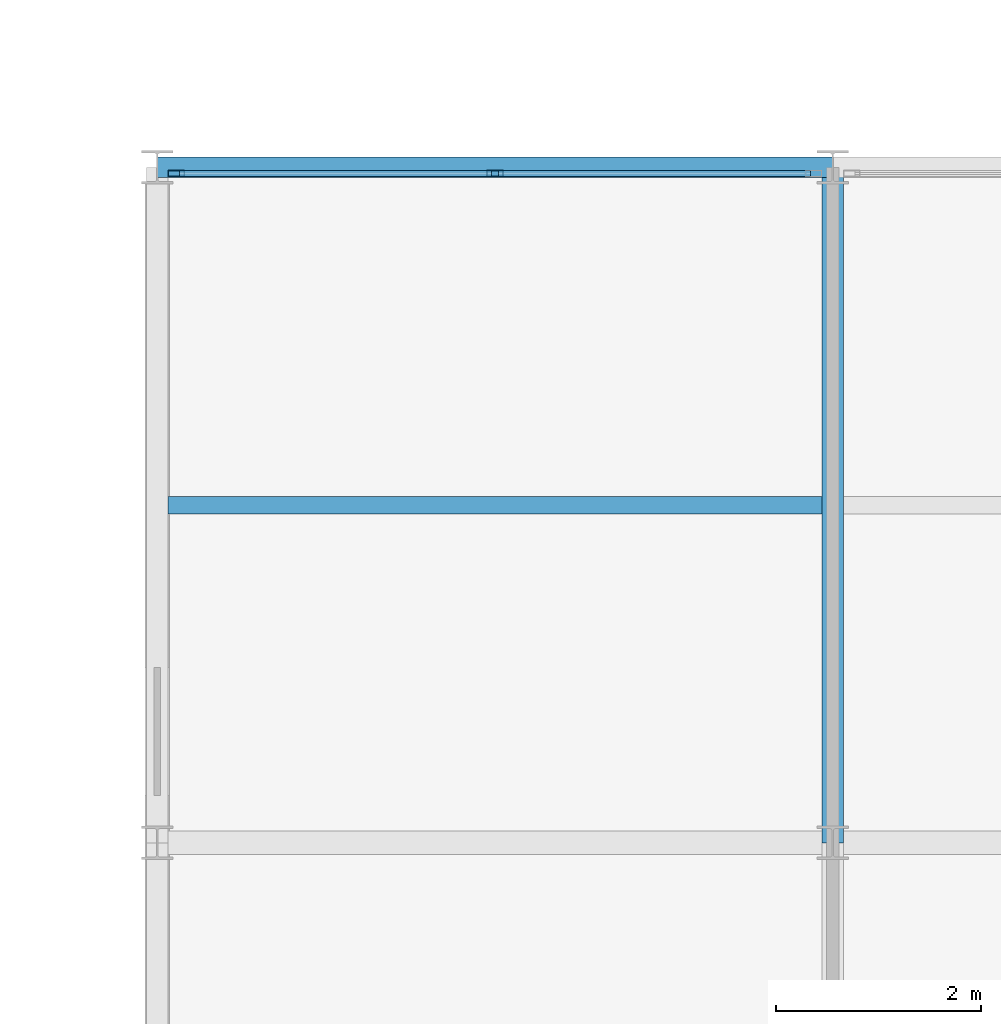
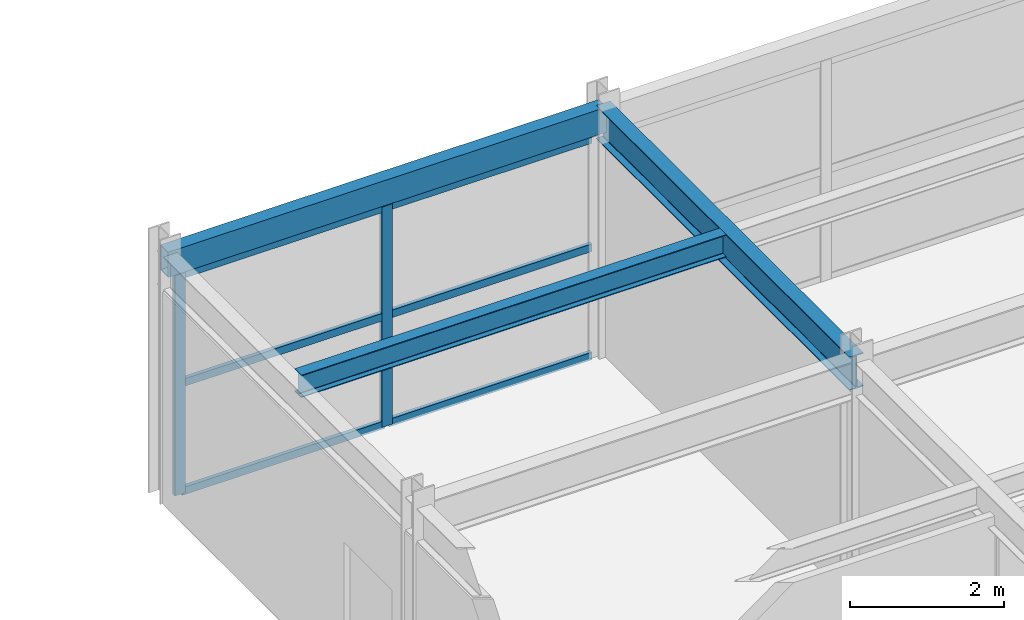
# One storey, part 54 of 134: 8 members, 3 beams, 1 element without a shape of its own.
"""IFC4 building model written with IfcOpenShell, lengths in metres."""

from ifc_helpers import new_model, si_unit, direction, frame, origin, origin_2d, place, context, subcontext, project, spatial, hollow_rectangle, i_section, extrude, material, material_profile, profile_set, type_object, element, aggregate, save


model = new_model("IFC4")

# Units and contexts
model_context = context("Model", 3, precision=1e-05, world=origin(), true_north=direction((0.0, 1.0)))
body_context = subcontext(model_context, "Body", "Model", "MODEL_VIEW")
ifc_project = project(units=[si_unit("LENGTHUNIT", "METRE"), si_unit("AREAUNIT", "SQUARE_METRE"), si_unit("VOLUMEUNIT", "CUBIC_METRE"), si_unit("PLANEANGLEUNIT", "RADIAN"), si_unit("MASSUNIT", "GRAM", prefix="KILO")], contexts=[model_context])

# Site, building, storey
site_placement = place(None, origin())
site = spatial("IfcSite", under=ifc_project, at=site_placement, CompositionType="ELEMENT")
building_placement = place(site_placement, origin())
building = spatial("IfcBuilding", under=site, at=building_placement, Name="Karori Crest Natural Sciences Institute", CompositionType="ELEMENT")
storey_placement = place(building_placement, frame((0.0, 0.0, 21.699951171875)))
storey = spatial("IfcBuildingStorey", under=building, at=storey_placement, Name="L05", CompositionType="ELEMENT", Elevation=21.699951171875)

# Beams
ifc_material_1 = material(Name="Structural steel AS/NZS 3679.1 Grade 350", Category="steel")
ifc_material_profile_1 = material_profile(ifc_material_1, i_section(OverallWidth=0.208984375, OverallDepth=0.532958984375, WebThickness=0.01025390625, FlangeThickness=0.015625, FilletRadius=0.013916015625, at=origin_2d()), Name="530UB92.4")
ifc_profile_set_1 = profile_set([ifc_material_profile_1], Name="Structural steel AS/NZS 3679.1 Grade 350")
beam_type_1 = type_object("IfcBeamType", Name="BT-05", PredefinedType="BEAM", material=ifc_profile_set_1)
beam_1_placement = place(storey_placement, frame((110.199951171875, 14.0, 3.653564453125), z_axis=(0.0, 1.0, 0.0), x_axis=(-1.0, 0.0, 0.0)))
element("IfcBeam", 1, at=beam_1_placement, inside=storey, type_object=beam_type_1, Name="Beam B-2493", PredefinedType="BEAM", context=body_context, shape_type="SweptSolid", body=[
    extrude(i_section(OverallWidth=0.208984375, OverallDepth=0.532958984375, WebThickness=0.01025390625, FlangeThickness=0.015625, FilletRadius=0.013916015625, at=origin_2d()), origin(), (0.0, 0.0, 1.0), 6.60009765625),
])
ifc_material_profile_2 = material_profile(ifc_material_1, i_section(OverallWidth=0.172119140625, OverallDepth=0.35888671875, WebThickness=0.008056640625, FlangeThickness=0.012939453125, FilletRadius=0.010986328125, at=origin_2d()), Name="360UB56.7")
ifc_profile_set_2 = profile_set([ifc_material_profile_2], Name="Structural steel AS/NZS 3679.1 Grade 350")
beam_type_2 = type_object("IfcBeamType", Name="BT-08", PredefinedType="BEAM", material=ifc_profile_set_2)
beam_2_placement = place(storey_placement, frame((103.70458984375, 17.300048828125, 3.740478515625), z_axis=(1.0, 0.0, 0.0), x_axis=(0.0, 1.0, 0.0)))
element("IfcBeam", 2, at=beam_2_placement, inside=storey, type_object=beam_type_2, Name="Beam B-2519", PredefinedType="BEAM", context=body_context, shape_type="SweptSolid", body=[
    extrude(i_section(OverallWidth=0.172119140625, OverallDepth=0.35888671875, WebThickness=0.008056640625, FlangeThickness=0.012939453125, FilletRadius=0.010986328125, at=origin_2d()), origin(), (0.0, 0.0, 1.0), 6.390869140625),
])
ifc_material_2 = material(Name="Hollow structural steel AS/NZS 1163 Grade C350", Category="steel")
ifc_material_profile_3 = material_profile(ifc_material_2, hollow_rectangle(XDim=0.199951171875, YDim=0.39990234375, WallThickness=0.012451171875, at=origin_2d()), Name="RHS400x200x12.5")
ifc_profile_set_3 = profile_set([ifc_material_profile_3], Name="Hollow structural steel AS/NZS 1163 Grade C350")
beam_type_3 = type_object("IfcBeamType", Name="BT-14", PredefinedType="SPANDREL", material=ifc_profile_set_3)
beam_3_placement = place(storey_placement, frame((103.60009765625, 20.60009765625, 3.719970703125), z_axis=(1.0, 0.0, 0.0), x_axis=(0.0, 1.0, 0.0)))
element("IfcBeam", 3, at=beam_3_placement, inside=storey, type_object=beam_type_3, Name="Beam B-2479", PredefinedType="SPANDREL", context=body_context, shape_type="SweptSolid", body=[
    extrude(hollow_rectangle(XDim=0.199951171875, YDim=0.39990234375, WallThickness=0.012451171875, at=origin_2d()), origin(), (0.0, 0.0, 1.0), 6.599853515625),
])

# Curtain wall, members
ifc_material_3 = material(Name="Anodised architectural aluminium 6063-T6", Category="aluminium")
curtain_wall_type = type_object("IfcCurtainWallType", Name="CWT-20", PredefinedType="NOTDEFINED", material=ifc_material_3)
curtain_wall_placement = place(storey_placement, origin())
curtain_wall = element("IfcCurtainWall", 4, at=curtain_wall_placement, inside=storey, type_object=curtain_wall_type, Name="Curtain wall CW-0340", PredefinedType="NOTDEFINED")
ifc_material_profile_4 = material_profile(ifc_material_3, hollow_rectangle(XDim=0.06494140625, YDim=0.159912109375, WallThickness=0.00390625, at=origin_2d()), Name="CWM160x65x4")
ifc_profile_set_4 = profile_set([ifc_material_profile_4], Name="Anodised architectural aluminium 6063-T6")
member_type_1 = type_object("IfcMemberType", Name="CWM-01", PredefinedType="MULLION", material=ifc_profile_set_4)
member_1_placement = place(storey_placement, frame((103.785888671875, 20.5400390625, 0.0), z_axis=(0.0, 0.0, 1.0), x_axis=(0.0, 1.0, 0.0)))
member_1 = element("IfcMember", 5, at=member_1_placement, type_object=member_type_1, Name="CW-0340 mullion 1", PredefinedType="MULLION", context=body_context, shape_type="SweptSolid", body=[
    extrude(hollow_rectangle(XDim=0.06494140625, YDim=0.159912109375, WallThickness=0.00390625, at=origin_2d()), origin(), (0.0, 0.0, 1.0), 3.505126953125),
])
member_2_placement = place(storey_placement, frame((106.89990234375, 20.5400390625, 0.0), z_axis=(0.0, 0.0, 1.0), x_axis=(0.0, 1.0, 0.0)))
member_2 = element("IfcMember", 6, at=member_2_placement, type_object=member_type_1, Name="CW-0340 mullion 2", PredefinedType="MULLION", context=body_context, shape_type="SweptSolid", body=[
    extrude(hollow_rectangle(XDim=0.06494140625, YDim=0.159912109375, WallThickness=0.00390625, at=origin_2d()), origin(), (0.0, 0.0, 1.0), 3.505126953125),
])
ifc_material_profile_5 = material_profile(ifc_material_3, hollow_rectangle(XDim=0.06005859375, YDim=0.1201171875, WallThickness=0.00390625, at=origin_2d()), Name="CWT120x60x4")
ifc_profile_set_5 = profile_set([ifc_material_profile_5], Name="Anodised architectural aluminium 6063-T6")
member_type_2 = type_object("IfcMemberType", Name="CWT-TR1", PredefinedType="USERDEFINED", material=ifc_profile_set_5)
member_3_placement = place(storey_placement, frame((103.818603515625, 20.5400390625, 0.030029296875), z_axis=(1.0, 0.0, 0.0), x_axis=(0.0, 1.0, 0.0)))
member_3 = element("IfcMember", 7, at=member_3_placement, type_object=member_type_2, Name="CW-0340 transom 1.1", ObjectType="TRANSOM", PredefinedType="USERDEFINED", context=body_context, shape_type="SweptSolid", body=[
    extrude(hollow_rectangle(XDim=0.06005859375, YDim=0.1201171875, WallThickness=0.00390625, at=origin_2d()), origin(), (0.0, 0.0, 1.0), 3.048828125),
])
member_4_placement = place(storey_placement, frame((103.818603515625, 20.5400390625, 1.75244140625), z_axis=(1.0, 0.0, 0.0), x_axis=(0.0, 1.0, 0.0)))
member_4 = element("IfcMember", 8, at=member_4_placement, type_object=member_type_2, Name="CW-0340 transom 1.2", ObjectType="TRANSOM", PredefinedType="USERDEFINED", context=body_context, shape_type="SweptSolid", body=[
    extrude(hollow_rectangle(XDim=0.06005859375, YDim=0.1201171875, WallThickness=0.00390625, at=origin_2d()), origin(), (0.0, 0.0, 1.0), 3.048828125),
])
member_5_placement = place(storey_placement, frame((103.818603515625, 20.5400390625, 3.47509765625), z_axis=(1.0, 0.0, 0.0), x_axis=(0.0, 1.0, 0.0)))
member_5 = element("IfcMember", 9, at=member_5_placement, type_object=member_type_2, Name="CW-0340 transom 1.3", ObjectType="TRANSOM", PredefinedType="USERDEFINED", context=body_context, shape_type="SweptSolid", body=[
    extrude(hollow_rectangle(XDim=0.06005859375, YDim=0.1201171875, WallThickness=0.00390625, at=origin_2d()), origin(), (0.0, 0.0, 1.0), 3.048828125),
])
member_6_placement = place(storey_placement, frame((106.9326171875, 20.5400390625, 0.030029296875), z_axis=(1.0, 0.0, 0.0), x_axis=(0.0, 1.0, 0.0)))
member_6 = element("IfcMember", 10, at=member_6_placement, type_object=member_type_2, Name="CW-0340 transom 2.1", ObjectType="TRANSOM", PredefinedType="USERDEFINED", context=body_context, shape_type="SweptSolid", body=[
    extrude(hollow_rectangle(XDim=0.06005859375, YDim=0.1201171875, WallThickness=0.00390625, at=origin_2d()), origin(), (0.0, 0.0, 1.0), 3.048828125),
])
member_7_placement = place(storey_placement, frame((106.9326171875, 20.5400390625, 1.75244140625), z_axis=(1.0, 0.0, 0.0), x_axis=(0.0, 1.0, 0.0)))
member_7 = element("IfcMember", 11, at=member_7_placement, type_object=member_type_2, Name="CW-0340 transom 2.2", ObjectType="TRANSOM", PredefinedType="USERDEFINED", context=body_context, shape_type="SweptSolid", body=[
    extrude(hollow_rectangle(XDim=0.06005859375, YDim=0.1201171875, WallThickness=0.00390625, at=origin_2d()), origin(), (0.0, 0.0, 1.0), 3.048828125),
])
member_8_placement = place(storey_placement, frame((106.9326171875, 20.5400390625, 3.47509765625), z_axis=(1.0, 0.0, 0.0), x_axis=(0.0, 1.0, 0.0)))
member_8 = element("IfcMember", 12, at=member_8_placement, type_object=member_type_2, Name="CW-0340 transom 2.3", ObjectType="TRANSOM", PredefinedType="USERDEFINED", context=body_context, shape_type="SweptSolid", body=[
    extrude(hollow_rectangle(XDim=0.06005859375, YDim=0.1201171875, WallThickness=0.00390625, at=origin_2d()), origin(), (0.0, 0.0, 1.0), 3.048828125),
])
aggregate(curtain_wall, [member_1, member_2, member_3, member_4, member_5, member_6, member_7, member_8])

save(model, "model.ifc")
